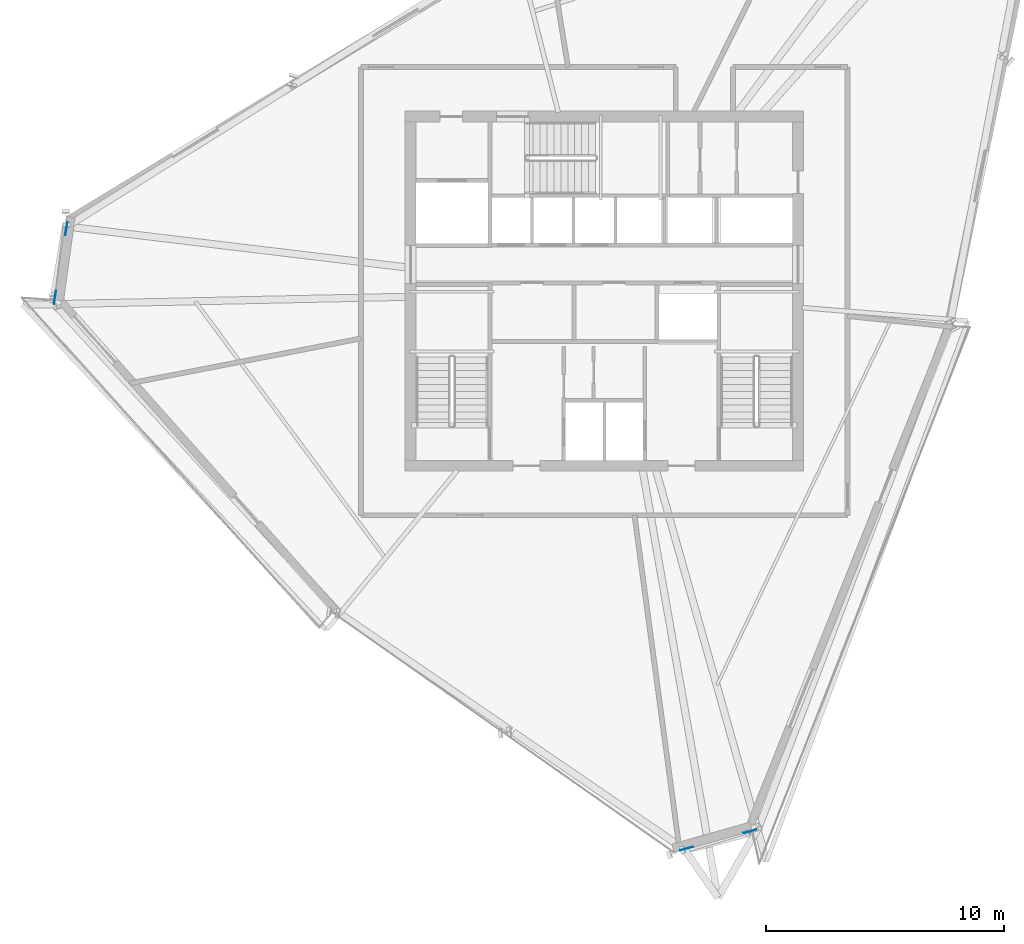
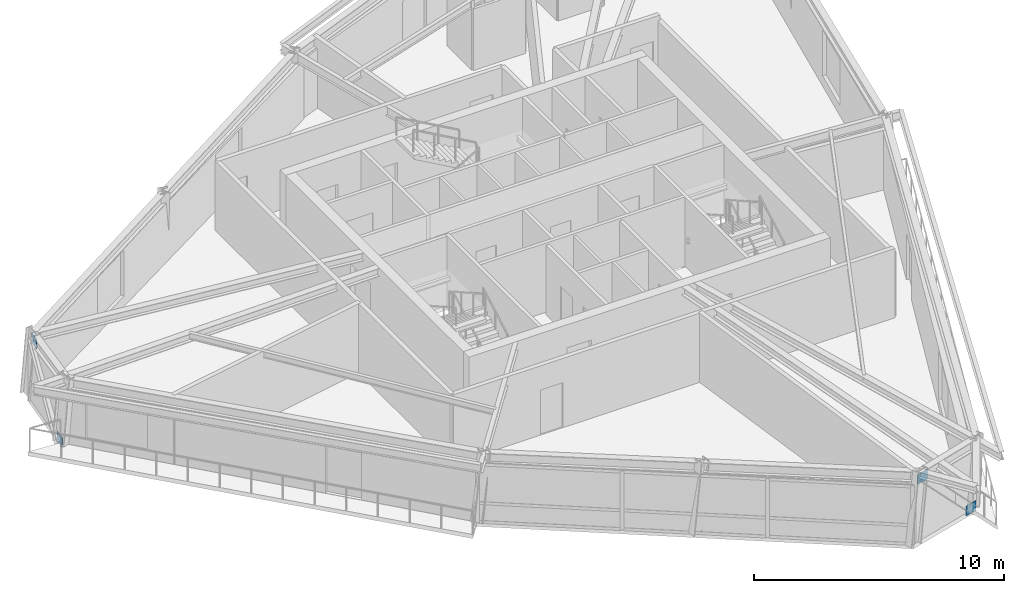
# One storey, part 6 of 13: 4 plates.
"""IFC4 building model written with IfcOpenShell, lengths in metres."""

from ifc_helpers import new_model, si_unit, direction, frame, origin, origin_2d, place, context, subcontext, project, spatial, rectangle, extrude, source, transform, mapped, material, type_object, element, save


model = new_model("IFC4")

# Units and contexts
model_context = context("Model", 3, precision=1e-05, world=origin(), true_north=direction((0.0, 1.0)))
body_context = subcontext(model_context, "Body", "Model", "MODEL_VIEW")
ifc_project = project(units=[si_unit("LENGTHUNIT", "METRE"), si_unit("AREAUNIT", "SQUARE_METRE"), si_unit("VOLUMEUNIT", "CUBIC_METRE"), si_unit("PLANEANGLEUNIT", "RADIAN"), si_unit("MASSUNIT", "GRAM", prefix="KILO")], contexts=[model_context])

# Site, building, storey
site_placement = place(None, origin())
site = spatial("IfcSite", under=ifc_project, at=site_placement, CompositionType="ELEMENT")
building_placement = place(site_placement, origin())
building = spatial("IfcBuilding", under=site, at=building_placement, Name="Olszyna Solenne Hotel", CompositionType="ELEMENT")
storey_placement = place(building_placement, frame((0.0, 0.0, 238.10009765625)))
storey = spatial("IfcBuildingStorey", under=building, at=storey_placement, Name="L63", CompositionType="ELEMENT", Elevation=238.10009765625)

# Plates
ifc_material = material(Name="Steel S355J2", Category="steel")
plate_type = type_object("IfcPlateType", Name="GP-ND2", PredefinedType="USERDEFINED", material=ifc_material)
shared_shape = source(origin(), body_context, "Body", "SweptSolid", [
    extrude(rectangle(XDim=0.56005859375, YDim=0.02001953125, at=origin_2d()), origin(), (0.0, 0.0, 1.0), 0.47998046875),
])
for number, where, z_axis, x_axis, name in (
    (1, (14.958740234375, 26.34033203125, -0.13134765625), (0.0, 0.0, 1.0), (0.164531165327, 0.98637188506, 0.0), "Brace end connection gusset plate GP-ND2 EP-BR-L63-2-1"),
    (2, (15.438232421875, 29.21484375, 2.76611328125), (0.0, 0.0, 1.0), (0.164531165327, 0.98637188506, 0.0), "Brace end connection gusset plate GP-ND2 EP-BR-L63-2-2"),
    (3, (44.1083984375, 3.94287109375, -0.128662109375), (0.0, 0.0, 1.0), (-0.965199301866, -0.261515406195, 0.0), "Brace end connection gusset plate GP-ND2 EP-BR-L63-3-1"),
    (4, (41.44970703125, 3.22265625, 2.763427734375), (0.0, 0.0, 1.0), (-0.965199301866, -0.261515406195, 0.0), "Brace end connection gusset plate GP-ND2 EP-BR-L63-3-2"),
):
    element("IfcPlate", number, at=place(storey_placement, frame(where, z_axis=z_axis, x_axis=x_axis)), inside=storey, type_object=plate_type, Name=name, ObjectType="GUSSET_PLATE", PredefinedType="USERDEFINED", context=body_context, shape_type="MappedRepresentation", body=[
        mapped(shared_shape, transform((0.0, 0.0, 0.0), x_axis=(1.0, 0.0, 0.0), y_axis=(0.0, 1.0, 0.0), z_axis=(0.0, 0.0, 1.0), scale=1.0)),
    ])

save(model, "model.ifc")
